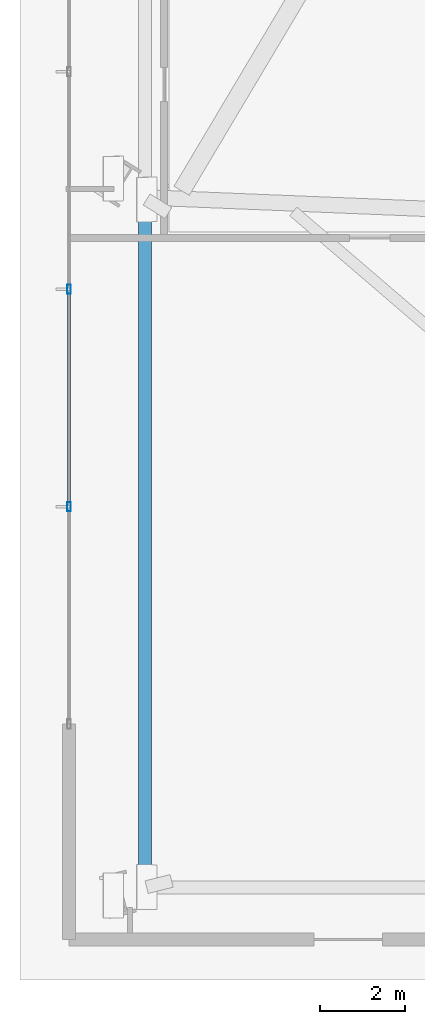
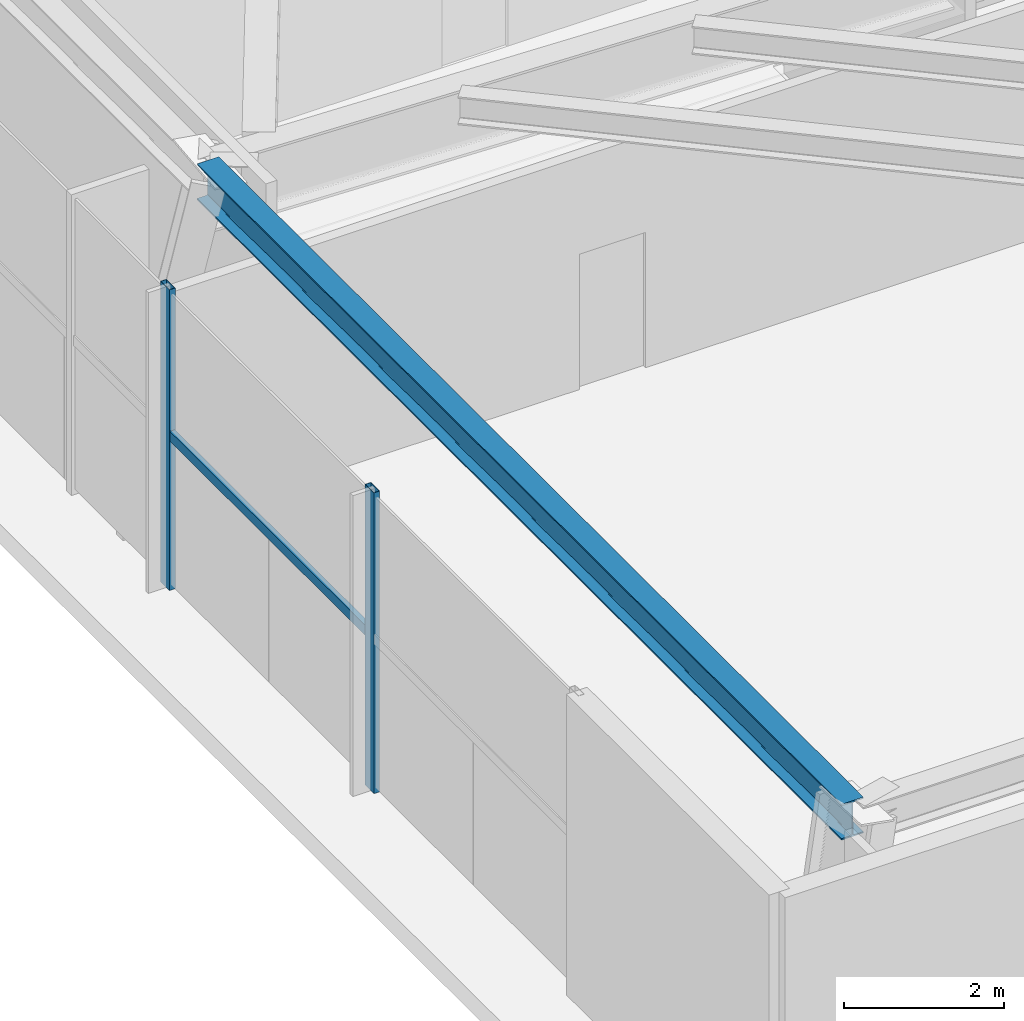
# One storey, part 4 of 31: 3 members, 1 beam, 1 element without a shape of its own.
"""IFC4 building model written with IfcOpenShell, lengths in metres."""

from ifc_helpers import new_model, si_unit, direction, frame, origin, origin_2d, place, context, subcontext, project, spatial, hollow_rectangle, i_section, extrude, source, transform, mapped, material, material_profile, profile_set, type_object, type_shapes, element, aggregate, save


model = new_model("IFC4")

# Units and contexts
model_context = context("Model", 3, precision=1e-05, world=origin(), true_north=direction((0.0, 1.0)))
body_context = subcontext(model_context, "Body", "Model", "MODEL_VIEW")
ifc_project = project(units=[si_unit("LENGTHUNIT", "METRE"), si_unit("AREAUNIT", "SQUARE_METRE"), si_unit("VOLUMEUNIT", "CUBIC_METRE"), si_unit("PLANEANGLEUNIT", "RADIAN"), si_unit("MASSUNIT", "GRAM", prefix="KILO")], contexts=[model_context])

# Site, building, storey
site_placement = place(None, origin())
site = spatial("IfcSite", under=ifc_project, at=site_placement, CompositionType="ELEMENT")
building_placement = place(site_placement, origin())
building = spatial("IfcBuilding", under=site, at=building_placement, Name="Astriad Promenade Condominiums", CompositionType="ELEMENT")
storey_placement = place(building_placement, origin())
storey = spatial("IfcBuildingStorey", under=building, at=storey_placement, Name="L00", CompositionType="ELEMENT", Elevation=0.0)

# Beam
ifc_material_1 = material(Name="Steel ASTM A992 Grade 50", Category="steel")
ifc_material_profile_1 = material_profile(ifc_material_1, i_section(OverallWidth=0.3134765625, OverallDepth=0.54638671875, WebThickness=0.013916015625, FlangeThickness=0.022216796875, FilletRadius=0.0166015625, at=origin_2d()), Name="W21X111")
ifc_profile_set_1 = profile_set([ifc_material_profile_1], Name="Steel ASTM A992 Grade 50")
beam_type = type_object("IfcBeamType", Name="STEEL SPANDREL BEAM W21X111", PredefinedType="SPANDREL", material=ifc_profile_set_1)
shared_shape_1 = source(origin(), body_context, "Body", "SweptSolid", [
    extrude(i_section(OverallWidth=0.3134765625, OverallDepth=0.54638671875, WebThickness=0.013916015625, FlangeThickness=0.022216796875, FilletRadius=0.0166015625, at=origin_2d()), origin(), (0.0, 0.0, 1.0), 16.081787109375),
])
type_shapes(beam_type, [shared_shape_1])
beam_placement = place(storey_placement, frame((2.932373046875, 18.289794921875, 4.306884765625), z_axis=(0.0, -1.0, 0.0), x_axis=(1.0, 0.0, 0.0)))
element("IfcBeam", 1, at=beam_placement, inside=storey, type_object=beam_type, Name="Perimeter Spandrel Beam SP-W1-L00", PredefinedType="SPANDREL", context=body_context, shape_type="MappedRepresentation", body=[
    mapped(shared_shape_1, transform((0.0, 0.0, 0.0), scale=1.0)),
])

# Curtain wall, members
ifc_material_2 = material(Name="Anodised aluminium Black Dark Glass Unitised", Category="aluminium")
curtain_wall_type = type_object("IfcCurtainWallType", Name="CW-POD-DARK", PredefinedType="USERDEFINED", material=ifc_material_2)
curtain_wall_placement = place(storey_placement, origin())
curtain_wall = element("IfcCurtainWall", 2, at=curtain_wall_placement, inside=storey, type_object=curtain_wall_type, Name="CW-L00-W", ObjectType="UNITISED_CURTAIN_WALL", PredefinedType="USERDEFINED")
ifc_material_3 = material(Name="Anodised aluminium 6063-T6 Black", Category="aluminium")
ifc_material_profile_2 = material_profile(ifc_material_3, hollow_rectangle(XDim=0.0849609375, YDim=0.219970703125, WallThickness=0.0048828125, at=origin_2d()), Name="ALU-MUL-85X220")
ifc_profile_set_2 = profile_set([ifc_material_profile_2], Name="Anodised aluminium 6063-T6 Black")
member_type_1 = type_object("IfcMemberType", Name="MUL-ALU-MUL-85X220", PredefinedType="MULLION", material=ifc_profile_set_2)
shared_shape_2 = source(origin(), body_context, "Body", "SweptSolid", [
    extrude(hollow_rectangle(XDim=0.0849609375, YDim=0.219970703125, WallThickness=0.0048828125, at=origin_2d()), origin(), (0.0, 0.0, 1.0), 4.580078125),
])
type_shapes(member_type_1, [shared_shape_2])
member_1_placement = place(storey_placement, frame((1.14990234375, 11.10009765625, 0.0), z_axis=(0.0, 0.0, 1.0), x_axis=(1.0, 0.0, 0.0)))
member_1 = element("IfcMember", 3, at=member_1_placement, type_object=member_type_1, Name="CW-L00-W-MUL-01", PredefinedType="MULLION", context=body_context, shape_type="MappedRepresentation", body=[
    mapped(shared_shape_2, transform((0.0, 0.0, 0.0), scale=1.0)),
])
member_2_placement = place(storey_placement, frame((1.14990234375, 16.199951171875, 0.0), z_axis=(0.0, 0.0, 1.0), x_axis=(1.0, 0.0, 0.0)))
member_2 = element("IfcMember", 4, at=member_2_placement, type_object=member_type_1, Name="CW-L00-W-MUL-02", PredefinedType="MULLION", context=body_context, shape_type="MappedRepresentation", body=[
    mapped(shared_shape_2, transform((0.0, 0.0, 0.0), scale=1.0)),
])
ifc_material_profile_3 = material_profile(ifc_material_3, hollow_rectangle(XDim=0.074951171875, YDim=0.14990234375, WallThickness=0.004150390625, at=origin_2d()), Name="ALU-TRN-75X150")
ifc_profile_set_3 = profile_set([ifc_material_profile_3], Name="Anodised aluminium 6063-T6 Black")
member_type_2 = type_object("IfcMemberType", Name="TRN-ALU-TRN-75X150", PredefinedType="USERDEFINED", material=ifc_profile_set_3)
shared_shape_3 = source(origin(), body_context, "Body", "SweptSolid", [
    extrude(hollow_rectangle(XDim=0.074951171875, YDim=0.14990234375, WallThickness=0.004150390625, at=origin_2d()), origin(), (0.0, 0.0, 1.0), 5.099853515625),
])
type_shapes(member_type_2, [shared_shape_3])
member_3_placement = place(storey_placement, frame((1.14990234375, 11.10009765625, 2.35009765625), z_axis=(0.0, 1.0, 0.0), x_axis=(-1.0, 0.0, 0.0)))
member_3 = element("IfcMember", 5, at=member_3_placement, type_object=member_type_2, Name="CW-L00-W-TRN-01-0", ObjectType="TRANSOM", PredefinedType="USERDEFINED", context=body_context, shape_type="MappedRepresentation", body=[
    mapped(shared_shape_3, transform((0.0, 0.0, 0.0), scale=1.0)),
])
aggregate(curtain_wall, [member_1, member_2, member_3])

save(model, "model.ifc")
